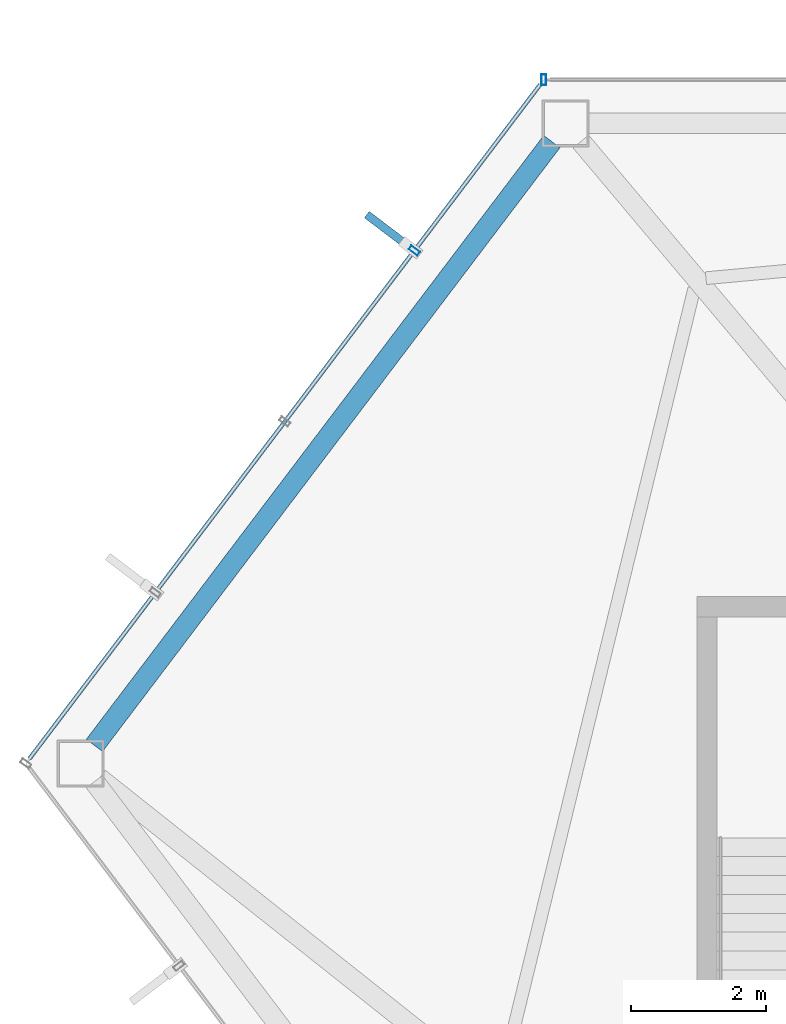
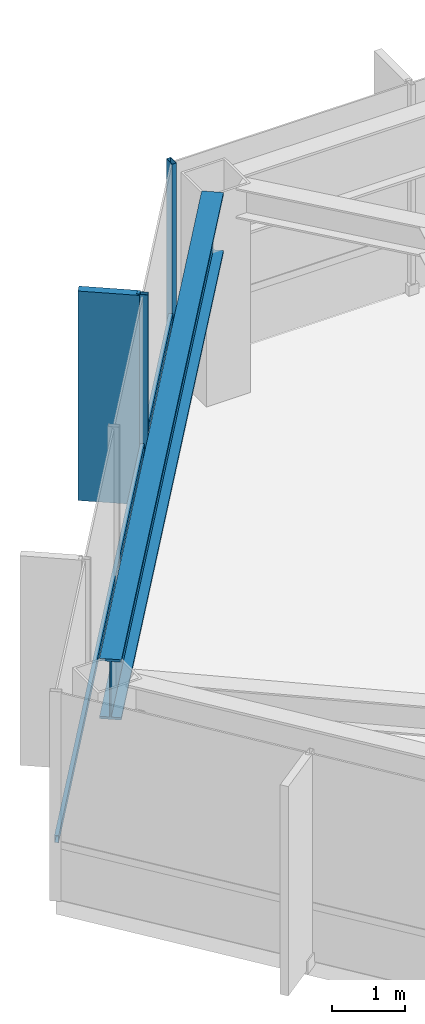
# One storey, part 11 of 27: 4 members, 1 beam, 2 elements without a shape of their own.
"""IFC4 building model written with IfcOpenShell, lengths in metres."""

from ifc_helpers import new_model, si_unit, direction, frame, origin, origin_2d, place, context, subcontext, project, spatial, rectangle, hollow_rectangle, i_section, extrude, material, layer, layer_set, material_profile, profile_set, type_object, element, aggregate, save


model = new_model("IFC4")

# Units and contexts
model_context = context("Model", 3, precision=1e-05, world=origin(), true_north=direction((0.0, 1.0)))
body_context = subcontext(model_context, "Body", "Model", "MODEL_VIEW")
ifc_project = project(units=[si_unit("LENGTHUNIT", "METRE"), si_unit("AREAUNIT", "SQUARE_METRE"), si_unit("VOLUMEUNIT", "CUBIC_METRE"), si_unit("PLANEANGLEUNIT", "RADIAN"), si_unit("MASSUNIT", "GRAM", prefix="KILO")], contexts=[model_context])

# Site, building, storey
site_placement = place(None, origin())
site = spatial("IfcSite", under=ifc_project, at=site_placement, CompositionType="ELEMENT")
building_placement = place(site_placement, origin())
building = spatial("IfcBuilding", under=site, at=building_placement, Name="Zarrinselat Tower", CompositionType="ELEMENT")
storey_placement = place(building_placement, frame((0.0, 0.0, 179.52001953125)))
storey = spatial("IfcBuildingStorey", under=building, at=storey_placement, Name="L44", CompositionType="ELEMENT", Elevation=179.52001953125)

# Beam
ifc_material_1 = material(Name="Steel S460M", Category="steel")
ifc_material_profile_1 = material_profile(ifc_material_1, i_section(OverallWidth=0.302001953125, OverallDepth=1.008056640625, WebThickness=0.02099609375, FlangeThickness=0.0400390625, at=origin_2d()), Name="HEM 1000")
ifc_profile_set_1 = profile_set([ifc_material_profile_1], Name="Steel S460M")
beam_type = type_object("IfcBeamType", Name="BM-HEM1000", PredefinedType="BEAM", material=ifc_profile_set_1)
beam_placement = place(storey_placement, frame((16.1396484375, 38.841064453125, 2.99609375), z_axis=(0.60385308905, 0.797095632183, 0.0), x_axis=(-0.797095632183, 0.60385308905, 0.0)))
element("IfcBeam", 1, at=beam_placement, inside=storey, type_object=beam_type, Name="L44 Perimeter Spandrel Girder SP05", PredefinedType="BEAM", context=body_context, shape_type="SweptSolid", body=[
    extrude(i_section(OverallWidth=0.302001953125, OverallDepth=1.008056640625, WebThickness=0.02099609375, FlangeThickness=0.0400390625, at=origin_2d()), origin(), (0.0, 0.0, 1.0), 11.242919921875),
])

# Curtain wall, member
ifc_material_2 = material(Name="Extruded Aluminium Alloy EN AW-6063 T6", Category="aluminium")
ifc_layer = layer(ifc_material_2, 0.175048828125)
ifc_layer_set = layer_set([ifc_layer], Name="Extruded Aluminium Alloy EN AW-6063 T6")
curtain_wall_type = type_object("IfcCurtainWallType", Name="CWS-HTL", PredefinedType="NOTDEFINED", material=ifc_layer_set)
curtain_wall_1_placement = place(storey_placement, origin())
curtain_wall_1 = element("IfcCurtainWall", 2, at=curtain_wall_1_placement, inside=storey, type_object=curtain_wall_type, Name="L44 Unitised Curtain Wall CW-L44-E01", PredefinedType="NOTDEFINED")
ifc_material_3 = material(Name="Extruded Aluminium Alloy EN AW-6063 T6", Category="aluminium")
ifc_material_profile_2 = material_profile(ifc_material_3, hollow_rectangle(XDim=0.070068359375, YDim=0.159912109375, WallThickness=0.00390625, at=origin_2d()), Name="RHS 160x70x4")
ifc_profile_set_2 = profile_set([ifc_material_profile_2], Name="Extruded Aluminium Alloy EN AW-6063 T6")
member_type_1 = type_object("IfcMemberType", Name="MEM-CW-MUL2", PredefinedType="MULLION", material=ifc_profile_set_2)
member_1_placement = place(storey_placement, frame((22.809814453125, 48.72216796875, 0.0), z_axis=(0.0, 0.0, 1.0), x_axis=(-1.0, 0.0, 0.0)))
member_1 = element("IfcMember", 3, at=member_1_placement, type_object=member_type_1, Name="CW-L44-E01 Mullion 10", PredefinedType="MULLION", context=body_context, shape_type="SweptSolid", body=[
    extrude(hollow_rectangle(XDim=0.070068359375, YDim=0.159912109375, WallThickness=0.00390625, at=origin_2d()), origin(), (0.0, 0.0, 1.0), 3.5),
])
aggregate(curtain_wall_1, [member_1])

# Curtain wall, members
curtain_wall_2_placement = place(storey_placement, origin())
curtain_wall_2 = element("IfcCurtainWall", 4, at=curtain_wall_2_placement, inside=storey, type_object=curtain_wall_type, Name="L44 Unitised Curtain Wall CW-L44-E02", PredefinedType="NOTDEFINED")
member_2_placement = place(storey_placement, frame((20.887451171875, 46.1845703125, 0.0), z_axis=(0.0, 0.0, 1.0), x_axis=(-0.603859048702, -0.797091117314, 0.0)))
member_2 = element("IfcMember", 5, at=member_2_placement, type_object=member_type_1, Name="CW-L44-E02 Mullion 1", PredefinedType="MULLION", context=body_context, shape_type="SweptSolid", body=[
    extrude(hollow_rectangle(XDim=0.070068359375, YDim=0.159912109375, WallThickness=0.00390625, at=origin_2d()), origin(), (0.0, 0.0, 1.0), 3.5),
])
ifc_material_4 = material(Name="Extruded Aluminium Alloy EN AW-6063 T6", Category="aluminium")
ifc_material_profile_3 = material_profile(ifc_material_4, hollow_rectangle(XDim=0.06005859375, YDim=0.1201171875, WallThickness=0.00390625, at=origin_2d()), Name="RHS 120x60x4")
ifc_profile_set_3 = profile_set([ifc_material_profile_3], Name="Extruded Aluminium Alloy EN AW-6063 T6")
member_type_2 = type_object("IfcMemberType", Name="MEM-CW-TRN2", PredefinedType="USERDEFINED", material=ifc_profile_set_3)
member_3_placement = place(storey_placement, frame((22.755615234375, 48.650390625, 0.949951171875), z_axis=(-0.603866673656, -0.797085340756, 0.0), x_axis=(0.797085340756, -0.603866673656, 0.0)))
member_3 = element("IfcMember", 6, at=member_3_placement, type_object=member_type_2, Name="CW-L44-E02 Transom 1", ObjectType="TRANSOM", PredefinedType="USERDEFINED", context=body_context, shape_type="SweptSolid", body=[
    extrude(hollow_rectangle(XDim=0.06005859375, YDim=0.1201171875, WallThickness=0.00390625, at=origin_2d()), origin(), (0.0, 0.0, 1.0), 12.5546875),
])
ifc_material_5 = material(Name="Honed Cream Travertine Stone", Category="masonry")
ifc_material_profile_4 = material_profile(ifc_material_5, rectangle(XDim=0.1201171875, YDim=0.85009765625, at=origin_2d()), Name="FIN 850x120")
ifc_profile_set_4 = profile_set([ifc_material_profile_4], Name="Honed Cream Travertine Stone")
member_type_3 = type_object("IfcMemberType", Name="MEM-STONE-FIN", PredefinedType="USERDEFINED", material=ifc_profile_set_4)
member_4_placement = place(storey_placement, frame((20.520751953125, 46.46240234375, 0.0), z_axis=(0.0, 0.0, 1.0), x_axis=(0.603859048702, 0.797091117314, 0.0)))
member_4 = element("IfcMember", 7, at=member_4_placement, type_object=member_type_3, Name="L44 Stone Shading Fin CW-L44-E02-01", ObjectType="FIN", PredefinedType="USERDEFINED", context=body_context, shape_type="SweptSolid", body=[
    extrude(rectangle(XDim=0.1201171875, YDim=0.85009765625, at=origin_2d()), origin(), (0.0, 0.0, 1.0), 3.5),
])
aggregate(curtain_wall_2, [member_2, member_4, member_3])

save(model, "model.ifc")
